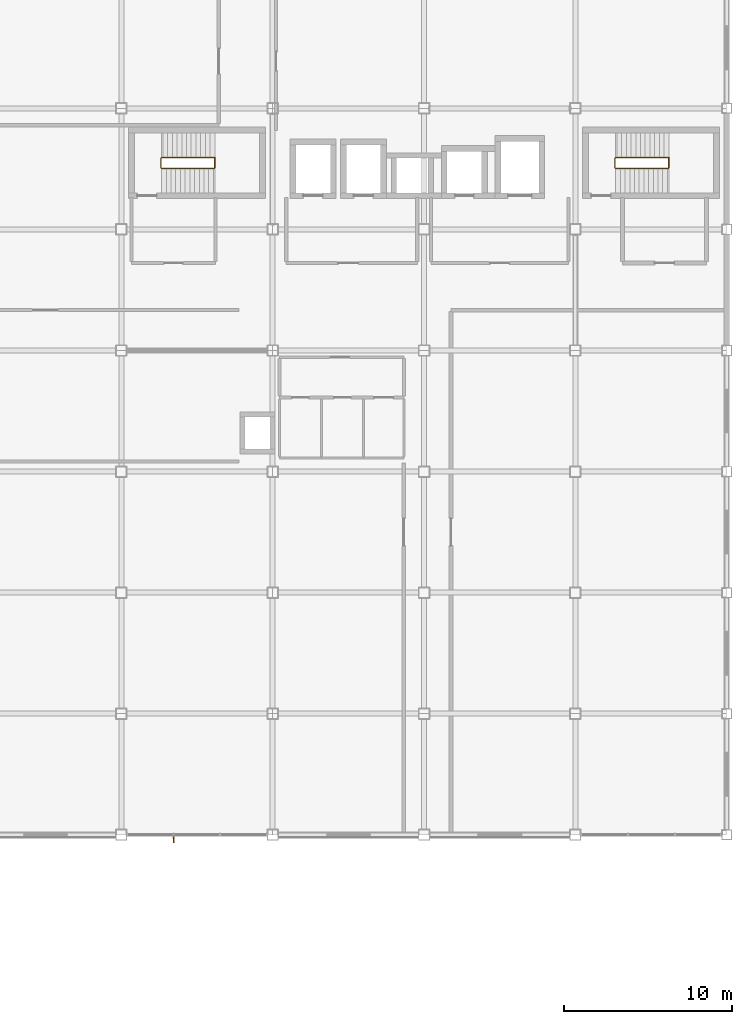
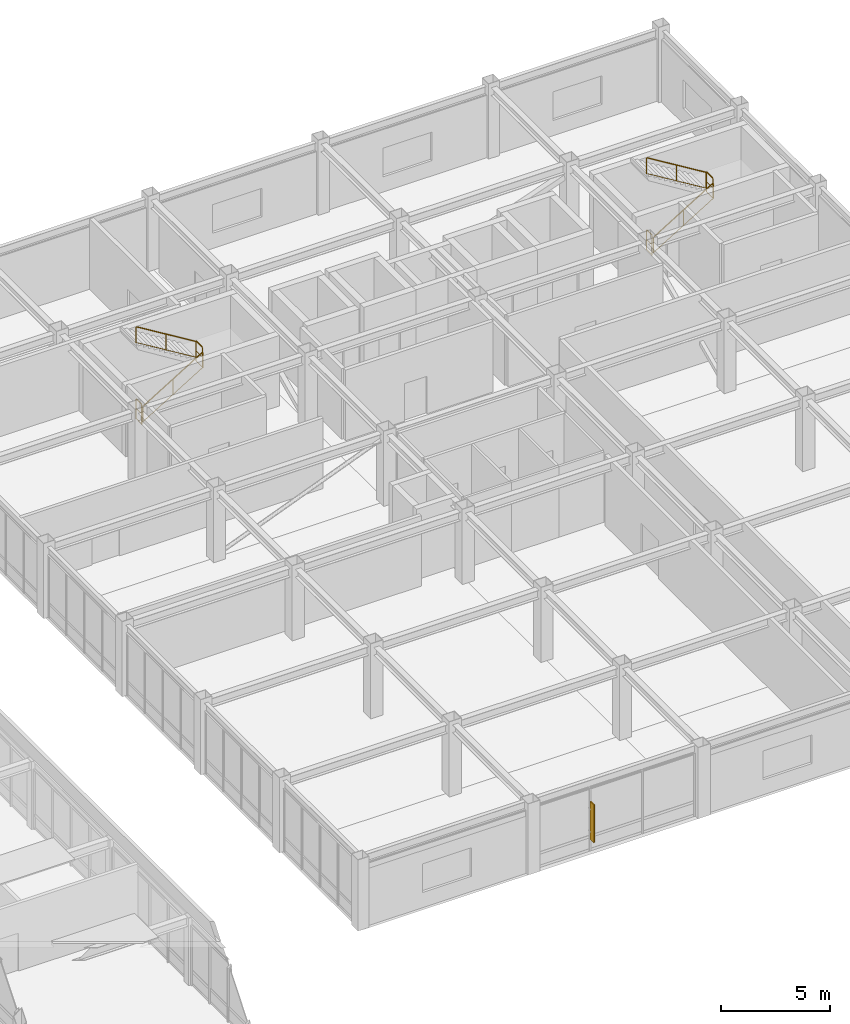
# One storey, part 106 of 106: 8 railings, 1 shading device.
"""IFC4 building model written with IfcOpenShell, lengths in metres."""

from ifc_helpers import new_model, si_unit, direction, frame, origin, origin_2d, place, context, subcontext, project, spatial, rectangle, extrude, material, type_object, element, save


model = new_model("IFC4")

# Units and contexts
model_context = context("Model", 3, precision=1e-05, world=origin(), true_north=direction((0.0, 1.0)))
body_context = subcontext(model_context, "Body", "Model", "MODEL_VIEW")
ifc_project = project(units=[si_unit("LENGTHUNIT", "METRE"), si_unit("AREAUNIT", "SQUARE_METRE"), si_unit("VOLUMEUNIT", "CUBIC_METRE"), si_unit("PLANEANGLEUNIT", "RADIAN"), si_unit("MASSUNIT", "GRAM", prefix="KILO")], contexts=[model_context])

# Site, building, storey
site_placement = place(None, origin())
site = spatial("IfcSite", under=ifc_project, at=site_placement, CompositionType="ELEMENT")
building_placement = place(site_placement, origin())
building = spatial("IfcBuilding", under=site, at=building_placement, Name="Kazanami Central Library", CompositionType="ELEMENT")
storey_placement = place(building_placement, frame((0.0, 0.0, 12.800048828125)))
storey = spatial("IfcBuildingStorey", under=building, at=storey_placement, Name="L04", CompositionType="ELEMENT", Elevation=12.800048828125)

# Railings
ifc_material_1 = material(Name="Stainless Steel SUS304", Category="steel")
railing_type_1 = type_object("IfcRailingType", Name="RAL-GR-S1", PredefinedType="GUARDRAIL", material=ifc_material_1)
railing_1_placement = place(storey_placement, frame((128.360107421875, 82.89501953125, 0.0)))
element("IfcRailing", 1, at=railing_1_placement, inside=storey, type_object=railing_type_1, Name="Stair Well Guard ST-01 L04", PredefinedType="GUARDRAIL", context=body_context, shape_type="SweptSolid", body=[
    extrude(rectangle(XDim=0.0439453125, YDim=0.0439453125, at=origin_2d()), frame((0.0, 0.02587890625, 1.1279296875), z_axis=(0.0, 1.0, 0.0), x_axis=(-1.0, 0.0, 0.0)), (0.0, 0.0, 1.0), 0.4580078125),
    extrude(rectangle(XDim=0.02392578125, YDim=0.02392578125, at=origin_2d()), frame((0.0, 0.02587890625, 0.015869140625), z_axis=(0.0, 1.0, 0.0), x_axis=(-1.0, 0.0, 0.0)), (0.0, 0.0, 1.0), 0.4580078125),
    extrude(rectangle(XDim=0.02392578125, YDim=0.02392578125, at=origin_2d()), frame((0.0, 0.02587890625, 0.574951171875), z_axis=(0.0, 1.0, 0.0), x_axis=(-1.0, 0.0, 0.0)), (0.0, 0.0, 1.0), 0.4580078125),
    extrude(rectangle(XDim=0.035888671875, YDim=0.035888671875, at=origin_2d()), origin(), (0.0, 0.0, 1.0), 1.10205078125),
    extrude(rectangle(XDim=0.035888671875, YDim=0.035888671875, at=origin_2d()), frame((0.0, 0.510009765625, 0.0)), (0.0, 0.0, 1.0), 1.10205078125),
])
railing_2_placement = place(storey_placement, frame((131.548095703125, 82.844970703125, 2.099853515625)))
element("IfcRailing", 2, at=railing_2_placement, inside=storey, type_object=railing_type_1, Name="Half-Landing Well Guard ST-01 L04", PredefinedType="GUARDRAIL", context=body_context, shape_type="SweptSolid", body=[
    extrude(rectangle(XDim=0.0439453125, YDim=0.0439453125, at=origin_2d()), frame((0.0, 0.02587890625, 1.1279296875), z_axis=(0.0, 1.0, 0.0), x_axis=(-1.0, 0.0, 0.0)), (0.0, 0.0, 1.0), 0.55810546875),
    extrude(rectangle(XDim=0.02392578125, YDim=0.02392578125, at=origin_2d()), frame((0.0, 0.02587890625, 0.015869140625), z_axis=(0.0, 1.0, 0.0), x_axis=(-1.0, 0.0, 0.0)), (0.0, 0.0, 1.0), 0.55810546875),
    extrude(rectangle(XDim=0.02392578125, YDim=0.02392578125, at=origin_2d()), frame((0.0, 0.02587890625, 0.574951171875), z_axis=(0.0, 1.0, 0.0), x_axis=(-1.0, 0.0, 0.0)), (0.0, 0.0, 1.0), 0.55810546875),
    extrude(rectangle(XDim=0.035888671875, YDim=0.035888671875, at=origin_2d()), origin(), (0.0, 0.0, 1.0), 1.10205078125),
    extrude(rectangle(XDim=0.035888671875, YDim=0.035888671875, at=origin_2d()), frame((0.0, 0.610107421875, 0.0)), (0.0, 0.0, 1.0), 1.10205078125),
])
railing_3_placement = place(storey_placement, frame((155.360107421875, 82.89501953125, 0.0)))
element("IfcRailing", 3, at=railing_3_placement, inside=storey, type_object=railing_type_1, Name="Stair Well Guard ST-02 L04", PredefinedType="GUARDRAIL", context=body_context, shape_type="SweptSolid", body=[
    extrude(rectangle(XDim=0.0439453125, YDim=0.0439453125, at=origin_2d()), frame((0.0, 0.02587890625, 1.1279296875), z_axis=(0.0, 1.0, 0.0), x_axis=(-1.0, 0.0, 0.0)), (0.0, 0.0, 1.0), 0.4580078125),
    extrude(rectangle(XDim=0.02392578125, YDim=0.02392578125, at=origin_2d()), frame((0.0, 0.02587890625, 0.015869140625), z_axis=(0.0, 1.0, 0.0), x_axis=(-1.0, 0.0, 0.0)), (0.0, 0.0, 1.0), 0.4580078125),
    extrude(rectangle(XDim=0.02392578125, YDim=0.02392578125, at=origin_2d()), frame((0.0, 0.02587890625, 0.574951171875), z_axis=(0.0, 1.0, 0.0), x_axis=(-1.0, 0.0, 0.0)), (0.0, 0.0, 1.0), 0.4580078125),
    extrude(rectangle(XDim=0.035888671875, YDim=0.035888671875, at=origin_2d()), origin(), (0.0, 0.0, 1.0), 1.10205078125),
    extrude(rectangle(XDim=0.035888671875, YDim=0.035888671875, at=origin_2d()), frame((0.0, 0.510009765625, 0.0)), (0.0, 0.0, 1.0), 1.10205078125),
])
railing_4_placement = place(storey_placement, frame((158.548095703125, 82.844970703125, 2.099853515625)))
element("IfcRailing", 4, at=railing_4_placement, inside=storey, type_object=railing_type_1, Name="Half-Landing Well Guard ST-02 L04", PredefinedType="GUARDRAIL", context=body_context, shape_type="SweptSolid", body=[
    extrude(rectangle(XDim=0.0439453125, YDim=0.0439453125, at=origin_2d()), frame((0.0, 0.02587890625, 1.1279296875), z_axis=(0.0, 1.0, 0.0), x_axis=(-1.0, 0.0, 0.0)), (0.0, 0.0, 1.0), 0.55810546875),
    extrude(rectangle(XDim=0.02392578125, YDim=0.02392578125, at=origin_2d()), frame((0.0, 0.02587890625, 0.015869140625), z_axis=(0.0, 1.0, 0.0), x_axis=(-1.0, 0.0, 0.0)), (0.0, 0.0, 1.0), 0.55810546875),
    extrude(rectangle(XDim=0.02392578125, YDim=0.02392578125, at=origin_2d()), frame((0.0, 0.02587890625, 0.574951171875), z_axis=(0.0, 1.0, 0.0), x_axis=(-1.0, 0.0, 0.0)), (0.0, 0.0, 1.0), 0.55810546875),
    extrude(rectangle(XDim=0.035888671875, YDim=0.035888671875, at=origin_2d()), origin(), (0.0, 0.0, 1.0), 1.10205078125),
    extrude(rectangle(XDim=0.035888671875, YDim=0.035888671875, at=origin_2d()), frame((0.0, 0.610107421875, 0.0)), (0.0, 0.0, 1.0), 1.10205078125),
])
railing_type_2 = type_object("IfcRailingType", Name="RAL-HR-01", PredefinedType="HANDRAIL", material=ifc_material_1)
for number, where, name in (
    (5, (128.39404296875, 82.824951171875, 0.175048828125), "Stair Handrail ST-01 Flight 1 (L04)"),
    (6, (155.39404296875, 82.824951171875, 0.175048828125), "Stair Handrail ST-02 Flight 1 (L04)"),
):
    element("IfcRailing", number, at=place(storey_placement, frame(where)), inside=storey, type_object=railing_type_2, Name=name, PredefinedType="HANDRAIL", context=body_context, shape_type="SweptSolid", body=[
        extrude(rectangle(XDim=0.0439453125, YDim=0.0439453125, at=origin_2d()), frame((0.022216796875, 0.0, 0.891357421875), z_axis=(0.853603426841, 0.0, 0.520923400977), x_axis=(0.0, 1.0, 0.0)), (0.0, 0.0, 1.0), 3.64306640625),
        extrude(rectangle(XDim=0.02392578125, YDim=0.02392578125, at=origin_2d()), frame((0.022216796875, 0.0, 0.029541015625), z_axis=(0.853603426841, 0.0, 0.520923400977), x_axis=(0.0, 1.0, 0.0)), (0.0, 0.0, 1.0), 3.64306640625),
        extrude(rectangle(XDim=0.035888671875, YDim=0.035888671875, at=origin_2d()), origin(), (0.0, 0.0, 1.0), 0.85205078125),
        extrude(rectangle(XDim=0.035888671875, YDim=0.035888671875, at=origin_2d()), frame((1.5771484375, 0.0, 0.96240234375)), (0.0, 0.0, 1.0), 0.85205078125),
        extrude(rectangle(XDim=0.035888671875, YDim=0.035888671875, at=origin_2d()), frame((3.154052734375, 0.0, 1.9248046875)), (0.0, 0.0, 1.0), 0.85205078125),
    ])
railing_type_3 = type_object("IfcRailingType", Name="RAL-HR-02", PredefinedType="HANDRAIL", material=ifc_material_1)
for number, where, name in (
    (7, (131.553955078125, 83.47509765625, 2.27490234375), "Stair Handrail ST-01 Flight 2 (L04)"),
    (8, (158.553955078125, 83.47509765625, 2.27490234375), "Stair Handrail ST-02 Flight 2 (L04)"),
):
    element("IfcRailing", number, at=place(storey_placement, frame(where)), inside=storey, type_object=railing_type_3, Name=name, PredefinedType="HANDRAIL", context=body_context, shape_type="SweptSolid", body=[
        extrude(rectangle(XDim=0.0439453125, YDim=0.0439453125, at=origin_2d()), frame((-0.022216796875, 0.0, 0.911376953125), z_axis=(-0.853574046124, 0.0, 0.520971542201), x_axis=(0.0, -1.0, 0.0)), (0.0, 0.0, 1.0), 3.64306640625),
        extrude(rectangle(XDim=0.02392578125, YDim=0.02392578125, at=origin_2d()), frame((-0.022216796875, 0.0, 0.029541015625), z_axis=(-0.853574046124, 0.0, 0.520971542201), x_axis=(0.0, -1.0, 0.0)), (0.0, 0.0, 1.0), 3.64306640625),
        extrude(rectangle(XDim=0.035888671875, YDim=0.035888671875, at=origin_2d()), origin(), (0.0, 0.0, 1.0), 0.8720703125),
        extrude(rectangle(XDim=0.035888671875, YDim=0.035888671875, at=origin_2d()), frame((-1.5771484375, 0.0, 0.96240234375)), (0.0, 0.0, 1.0), 0.8720703125),
        extrude(rectangle(XDim=0.035888671875, YDim=0.035888671875, at=origin_2d()), frame((-3.154052734375, 0.0, 1.925048828125)), (0.0, 0.0, 1.0), 0.8720703125),
    ])

# Shading device
ifc_material_2 = material(Name="Anodised Bronze-Grey Aluminium A6063-T5", Category="aluminium")
shading_device_type = type_object("IfcShadingDeviceType", Name="SHD-FIN-1", PredefinedType="USERDEFINED", material=ifc_material_2)
shading_device_placement = place(storey_placement, frame((129.1083984375, 42.89990234375, 0.71240234375), z_axis=(0.0, 0.0, 1.0), x_axis=(1.0, 0.0, 0.0)))
element("IfcShadingDevice", 9, at=shading_device_placement, inside=storey, type_object=shading_device_type, Name="Vertical Solar Fin SF-01 L04 S-G-14.1", ObjectType="SOLAR FIN", PredefinedType="USERDEFINED", context=body_context, shape_type="SweptSolid", body=[
    extrude(rectangle(XDim=0.06005859375, YDim=0.360107421875, at=origin_2d()), origin(), (0.0, 0.0, 1.0), 2.10009765625),
])

save(model, "model.ifc")
